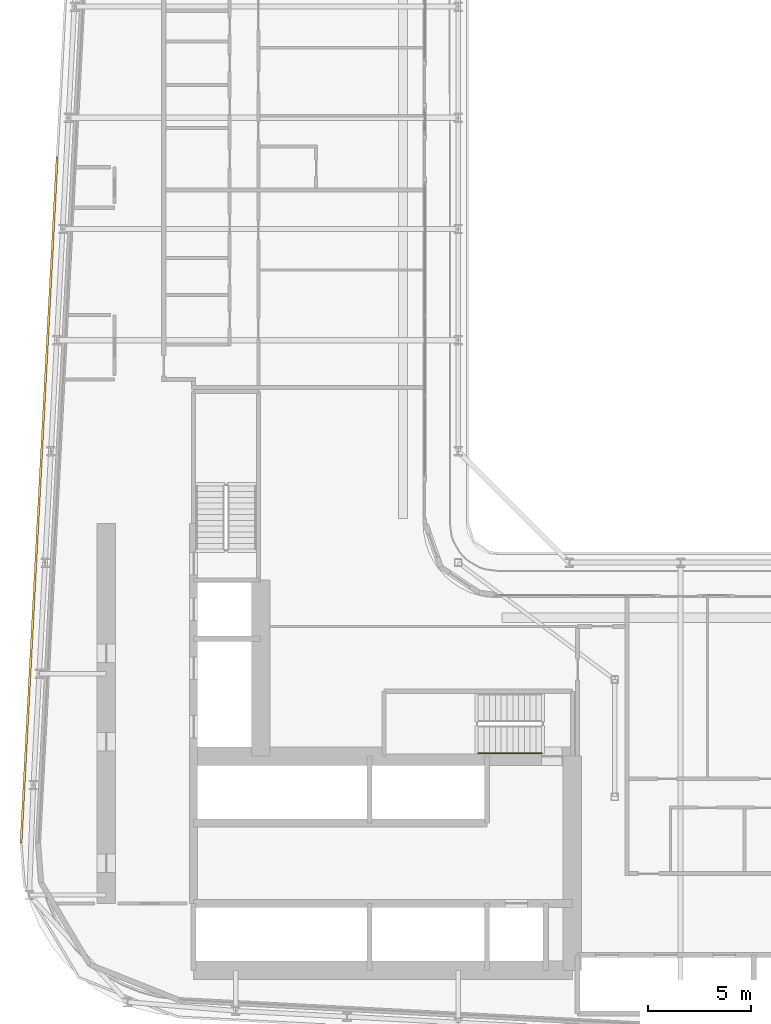
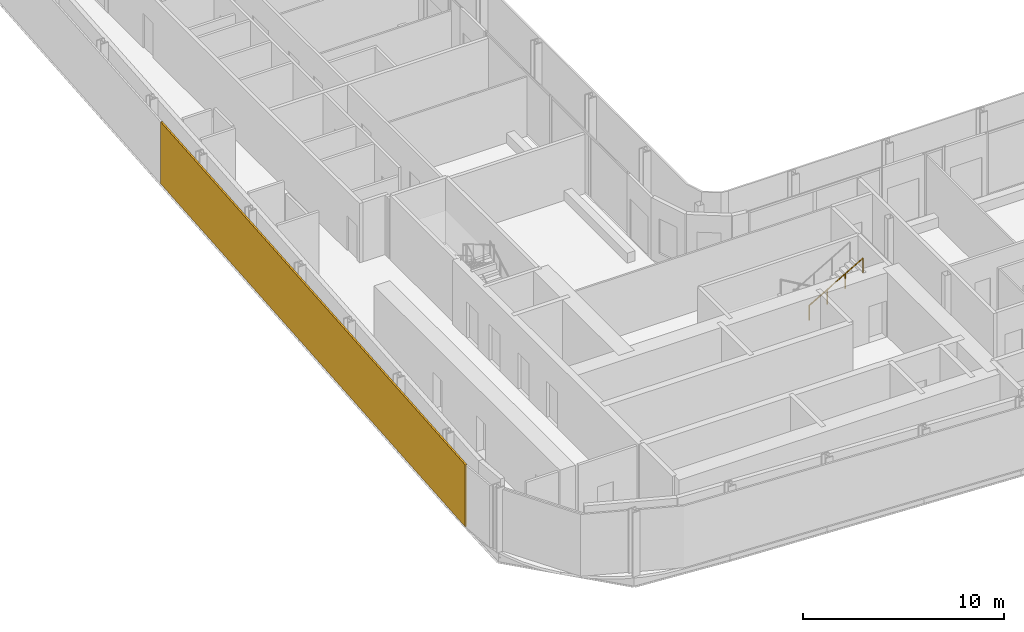
# One storey, part 22 of 28: 1 railing, 1 shading device.
"""IFC4 building model written with IfcOpenShell, lengths in metres."""

from ifc_helpers import new_model, si_unit, direction, frame, origin, origin_2d, place, context, subcontext, project, spatial, rectangle, circle, extrude, material, layer, layer_set, type_object, element, save


model = new_model("IFC4")

# Units and contexts
model_context = context("Model", 3, precision=1e-05, world=origin(), true_north=direction((0.0, 1.0)))
body_context = subcontext(model_context, "Body", "Model", "MODEL_VIEW")
ifc_project = project(units=[si_unit("LENGTHUNIT", "METRE"), si_unit("AREAUNIT", "SQUARE_METRE"), si_unit("VOLUMEUNIT", "CUBIC_METRE"), si_unit("PLANEANGLEUNIT", "RADIAN"), si_unit("MASSUNIT", "GRAM", prefix="KILO")], contexts=[model_context])

# Site, building, storey
site_placement = place(None, origin())
site = spatial("IfcSite", under=ifc_project, at=site_placement, CompositionType="ELEMENT")
building_placement = place(site_placement, origin())
building = spatial("IfcBuilding", under=site, at=building_placement, Name="Kheshtan School and Residences Tower", CompositionType="ELEMENT")
storey_placement = place(building_placement, frame((0.0, 0.0, 133.10009765625)))
storey = spatial("IfcBuildingStorey", under=building, at=storey_placement, Name="L31", CompositionType="ELEMENT", Elevation=133.10009765625)

# Shading device
ifc_material_1 = material(Name="Terracotta baguette, extruded ceramic", Category="masonry")
ifc_layer = layer(ifc_material_1, 0.10009765625)
ifc_layer_set = layer_set([ifc_layer], Name="Ledge screen, terracotta baguettes")
shading_device_type = type_object("IfcShadingDeviceType", Name="Ledge screen, terracotta baguettes", PredefinedType="USERDEFINED", material=ifc_layer_set)
shading_device_placement = place(storey_placement, frame((27.24609375, 48.638916015625, 0.0), z_axis=(0.0, 0.0, 1.0), x_axis=(0.052562536748, 0.998617634398, 0.0)))
element("IfcShadingDevice", 1, at=shading_device_placement, inside=storey, type_object=shading_device_type, Name="Screen L31 4", ObjectType="BAGUETTE", PredefinedType="USERDEFINED", context=body_context, shape_type="SweptSolid", body=[
    extrude(rectangle(XDim=33.341064453125, YDim=0.10009765625, at=origin_2d()), origin(), (0.0, 0.0, 1.0), 3.75),
])

# Railing
ifc_material_2 = material(Name="Stainless steel handrail", Category="steel")
railing_type = type_object("IfcRailingType", Name="Stair handrail 900", PredefinedType="HANDRAIL", material=ifc_material_2)
railing_placement = place(storey_placement, frame((48.570068359375, 36.35009765625, 2.1123046875)))
element("IfcRailing", 2, at=railing_placement, inside=storey, type_object=railing_type, Name="L31 ST1 stair handrail 2", PredefinedType="HANDRAIL", context=body_context, shape_type="SweptSolid", body=[
    extrude(circle(Radius=0.02392578125, at=origin_2d()), frame((0.0, 0.0, 0.8759765625), z_axis=(0.864873446163, 0.0, 0.501989962173), x_axis=(0.0, 1.0, 0.0)), (0.0, 0.0, 1.0), 3.56103515625),
    extrude(circle(Radius=0.02099609375, at=origin_2d()), origin(), (0.0, 0.0, 1.0), 0.851806640625),
    extrude(circle(Radius=0.02099609375, at=origin_2d()), frame((1.026611328125, 0.0, 0.595947265625)), (0.0, 0.0, 1.0), 0.851806640625),
    extrude(circle(Radius=0.02099609375, at=origin_2d()), frame((2.05322265625, 0.0, 1.191650390625)), (0.0, 0.0, 1.0), 0.851806640625),
    extrude(circle(Radius=0.02099609375, at=origin_2d()), frame((3.079833984375, 0.0, 1.78759765625)), (0.0, 0.0, 1.0), 0.851806640625),
])

save(model, "model.ifc")
